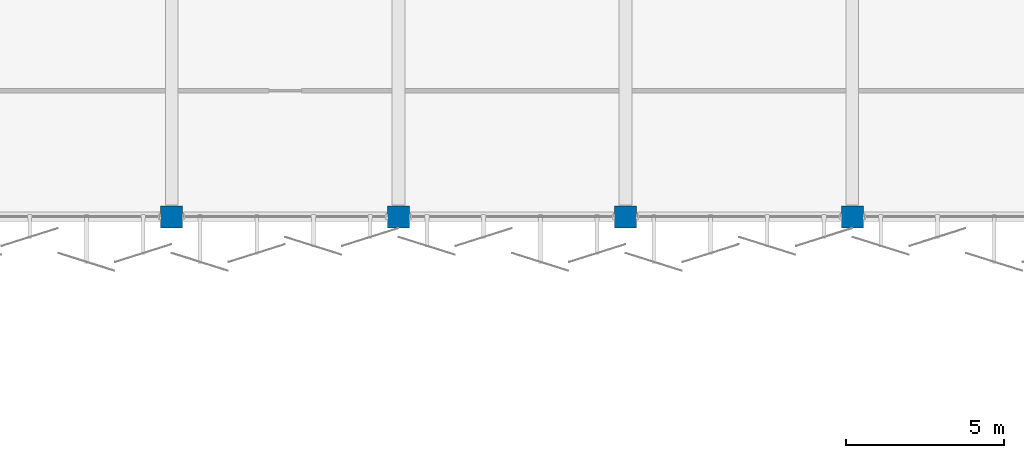
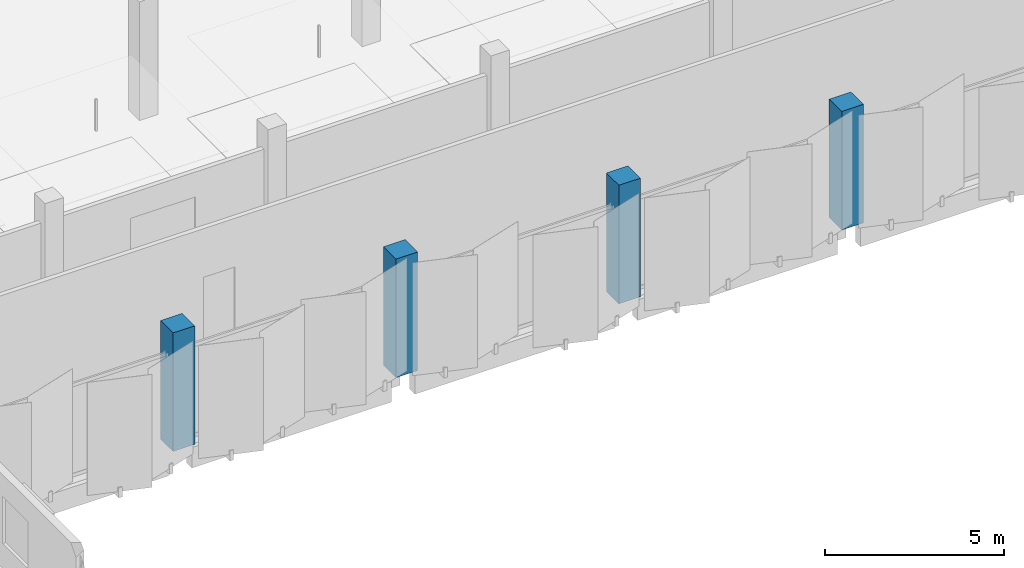
# One storey, part 10 of 107: 4 columns.
"""IFC4 building model written with IfcOpenShell, lengths in metres."""

from ifc_helpers import new_model, si_unit, direction, frame, origin, origin_2d, place, context, subcontext, project, spatial, rectangle, extrude, material, material_profile, profile_set, type_object, element, save


model = new_model("IFC4")

# Units and contexts
model_context = context("Model", 3, precision=1e-05, world=origin(), true_north=direction((0.0, 1.0)))
body_context = subcontext(model_context, "Body", "Model", "MODEL_VIEW")
ifc_project = project(units=[si_unit("LENGTHUNIT", "METRE"), si_unit("AREAUNIT", "SQUARE_METRE"), si_unit("VOLUMEUNIT", "CUBIC_METRE"), si_unit("PLANEANGLEUNIT", "RADIAN"), si_unit("MASSUNIT", "GRAM", prefix="KILO")], contexts=[model_context])

# Site, building, storey
site_placement = place(None, origin())
site = spatial("IfcSite", under=ifc_project, at=site_placement, CompositionType="ELEMENT")
building_placement = place(site_placement, origin())
building = spatial("IfcBuilding", under=site, at=building_placement, Name="Kangsadwip Square Police Headquarters", CompositionType="ELEMENT")
storey_placement = place(building_placement, frame((0.0, 0.0, 5.39990234375)))
storey = spatial("IfcBuildingStorey", under=building, at=storey_placement, Name="L01", CompositionType="ELEMENT", Elevation=5.39990234375)

# Columns
ifc_material = material(Name="Concrete M40 (40 MPa)", Category="concrete")
ifc_material_profile = material_profile(ifc_material, rectangle(XDim=0.699951171875, YDim=0.699951171875, at=origin_2d()), Name="RC COL 700X700")
ifc_profile_set = profile_set([ifc_material_profile], Name="Concrete M40 (40 MPa)")
column_type = type_object("IfcColumnType", Name="RcCol700x700", PredefinedType="COLUMN", material=ifc_profile_set)
for number, where, z_axis, x_axis, name in (
    (1, (100.800048828125, 93.60009765625, 0.0), (0.0, 0.0, 1.0), (1.0, 0.0, 0.0), "Column COL-L01-14-13"),
    (2, (108.0, 93.60009765625, 0.0), (0.0, 0.0, 1.0), (1.0, 0.0, 0.0), "Column COL-L01-15-13"),
    (3, (115.199951171875, 93.60009765625, 0.0), (0.0, 0.0, 1.0), (1.0, 0.0, 0.0), "Column COL-L01-16-13"),
    (4, (122.39990234375, 93.60009765625, 0.0), (0.0, 0.0, 1.0), (1.0, 0.0, 0.0), "Column COL-L01-17-13"),
):
    element("IfcColumn", number, at=place(storey_placement, frame(where, z_axis=z_axis, x_axis=x_axis)), inside=storey, type_object=column_type, Name=name, PredefinedType="COLUMN", context=body_context, shape_type="SweptSolid", body=[
        extrude(rectangle(XDim=0.699951171875, YDim=0.699951171875, at=origin_2d()), origin(), (0.0, 0.0, 1.0), 4.050048828125),
    ])

save(model, "model.ifc")
